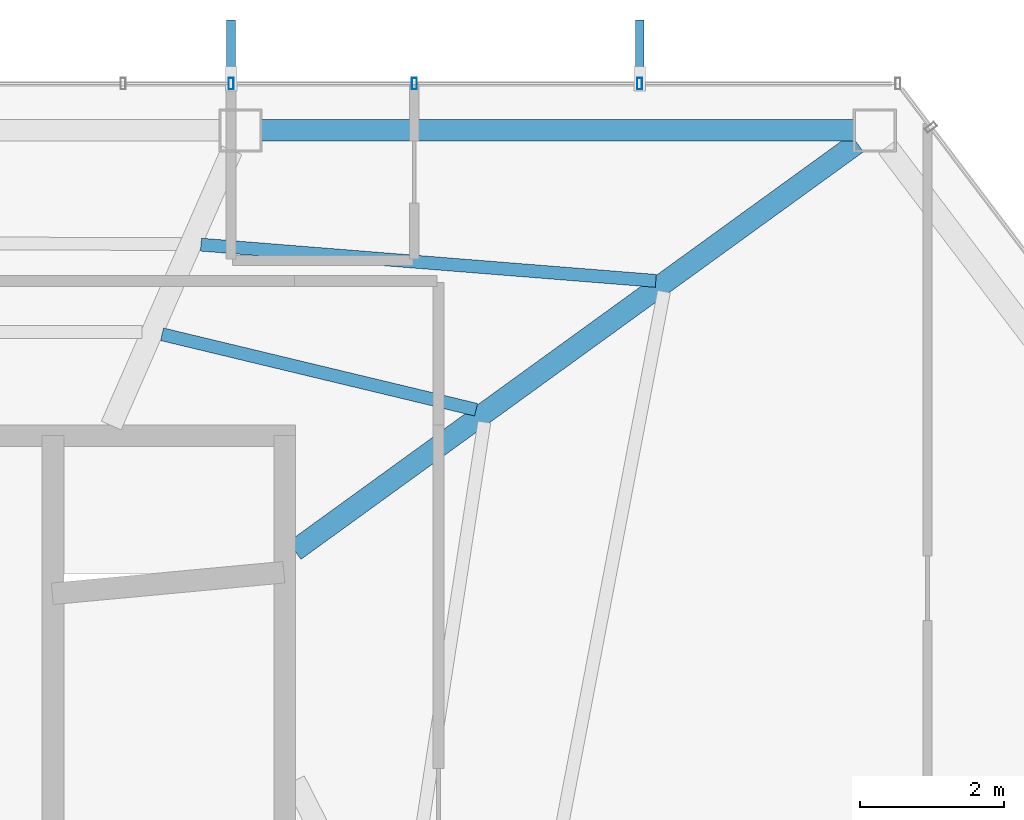
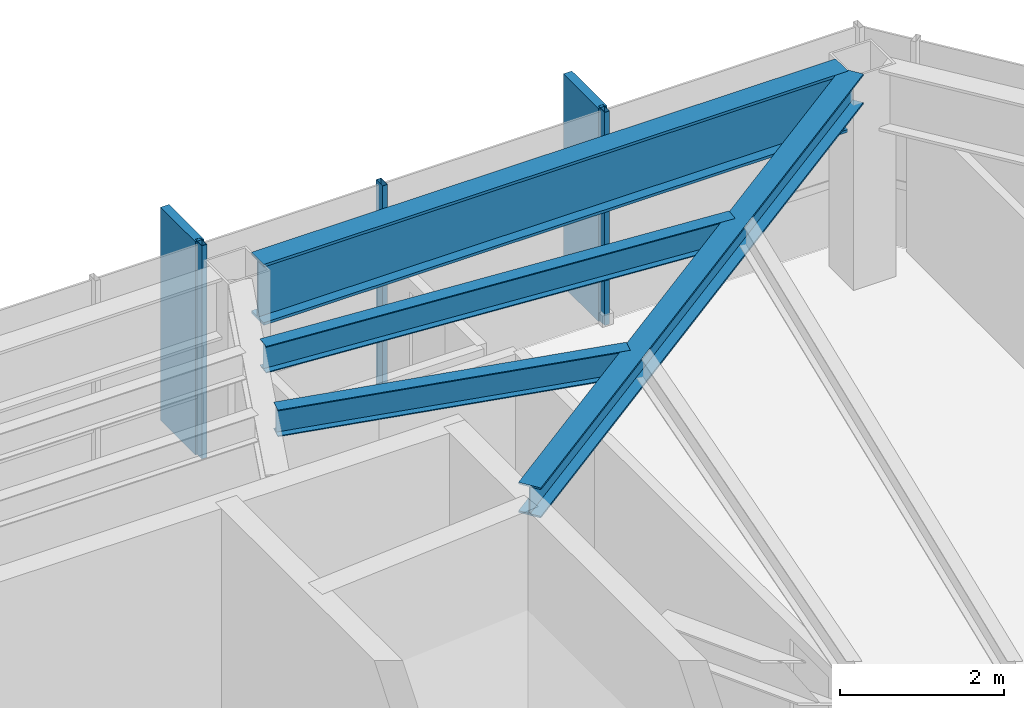
# One storey, part 22 of 28: 5 members, 4 beams, 1 element without a shape of its own.
"""IFC4 building model written with IfcOpenShell, lengths in metres."""

from ifc_helpers import new_model, si_unit, direction, frame, origin, origin_2d, place, context, subcontext, project, spatial, rectangle, hollow_rectangle, i_section, extrude, material, layer, layer_set, material_profile, profile_set, type_object, element, aggregate, save


model = new_model("IFC4")

# Units and contexts
model_context = context("Model", 3, precision=1e-05, world=origin(), true_north=direction((0.0, 1.0)))
body_context = subcontext(model_context, "Body", "Model", "MODEL_VIEW")
ifc_project = project(units=[si_unit("LENGTHUNIT", "METRE"), si_unit("AREAUNIT", "SQUARE_METRE"), si_unit("VOLUMEUNIT", "CUBIC_METRE"), si_unit("PLANEANGLEUNIT", "RADIAN"), si_unit("MASSUNIT", "GRAM", prefix="KILO")], contexts=[model_context])

# Site, building, storey
site_placement = place(None, origin())
site = spatial("IfcSite", under=ifc_project, at=site_placement, CompositionType="ELEMENT")
building_placement = place(site_placement, origin())
building = spatial("IfcBuilding", under=site, at=building_placement, Name="Zarrinselat Tower", CompositionType="ELEMENT")
storey_placement = place(building_placement, frame((0.0, 0.0, 222.360107421875)))
storey = spatial("IfcBuildingStorey", under=building, at=storey_placement, Name="L55", CompositionType="ELEMENT", Elevation=222.360107421875)

# Beams
ifc_material_1 = material(Name="Steel S355J2", Category="steel")
ifc_material_profile_1 = material_profile(ifc_material_1, i_section(OverallWidth=0.300048828125, OverallDepth=0.449951171875, WebThickness=0.013916015625, FlangeThickness=0.02587890625, at=origin_2d()), Name="HEB 450")
ifc_profile_set_1 = profile_set([ifc_material_profile_1], Name="Steel S355J2")
beam_type_1 = type_object("IfcBeamType", Name="BM-HEB450", PredefinedType="BEAM", material=ifc_profile_set_1)
beam_1_placement = place(storey_placement, frame((48.35009765625, 41.800048828125, 2.954833984375), z_axis=(0.809785173782, 0.586726488513, 0.0), x_axis=(-0.586726488513, 0.809785173782, 0.0)))
element("IfcBeam", 1, at=beam_1_placement, inside=storey, type_object=beam_type_1, Name="L55 Radial Primary Girder RG01", PredefinedType="BEAM", context=body_context, shape_type="SweptSolid", body=[
    extrude(i_section(OverallWidth=0.300048828125, OverallDepth=0.449951171875, WebThickness=0.013916015625, FlangeThickness=0.02587890625, at=origin_2d()), origin(), (0.0, 0.0, 1.0), 9.6591796875),
])
ifc_material_2 = material(Name="Steel S460M", Category="steel")
ifc_material_profile_2 = material_profile(ifc_material_2, i_section(OverallWidth=0.302001953125, OverallDepth=0.909912109375, WebThickness=0.02099609375, FlangeThickness=0.0400390625, at=origin_2d()), Name="HEM 900")
ifc_profile_set_2 = profile_set([ifc_material_profile_2], Name="Steel S460M")
beam_type_2 = type_object("IfcBeamType", Name="BM-HEM900", PredefinedType="BEAM", material=ifc_profile_set_2)
beam_2_placement = place(storey_placement, frame((47.887451171875, 47.644287109375, 2.724853515625), z_axis=(1.0, 0.0, 0.0), x_axis=(0.0, 1.0, 0.0)))
element("IfcBeam", 2, at=beam_2_placement, inside=storey, type_object=beam_type_2, Name="L55 Perimeter Spandrel Girder SP01", PredefinedType="BEAM", context=body_context, shape_type="SweptSolid", body=[
    extrude(i_section(OverallWidth=0.302001953125, OverallDepth=0.909912109375, WebThickness=0.02099609375, FlangeThickness=0.0400390625, at=origin_2d()), origin(), (0.0, 0.0, 1.0), 8.240966796875),
])
ifc_material_3 = material(Name="Steel S355J2", Category="steel")
ifc_material_profile_3 = material_profile(ifc_material_3, i_section(OverallWidth=0.179931640625, OverallDepth=0.39990234375, WebThickness=0.008544921875, FlangeThickness=0.013427734375, at=origin_2d()), Name="IPE 400")
ifc_profile_set_3 = profile_set([ifc_material_profile_3], Name="Steel S355J2")
beam_type_3 = type_object("IfcBeamType", Name="BM-IPE400", PredefinedType="JOIST", material=ifc_profile_set_3)
beam_3_placement = place(storey_placement, frame((47.047119140625, 46.05517578125, 2.97998046875), z_axis=(0.996845179444, -0.079370575268, 0.0), x_axis=(0.079370575268, 0.996845179444, 0.0)))
element("IfcBeam", 3, at=beam_3_placement, inside=storey, type_object=beam_type_3, Name="L55 Composite Floor Joist 6-1", PredefinedType="JOIST", context=body_context, shape_type="SweptSolid", body=[
    extrude(i_section(OverallWidth=0.179931640625, OverallDepth=0.39990234375, WebThickness=0.008544921875, FlangeThickness=0.013427734375, at=origin_2d()), origin(), (0.0, 0.0, 1.0), 6.345703125),
])
beam_4_placement = place(storey_placement, frame((46.506591796875, 44.80859375, 2.97998046875), z_axis=(0.972333489032, -0.233597059285, 0.0), x_axis=(0.233597059285, 0.972333489032, 0.0)))
element("IfcBeam", 4, at=beam_4_placement, inside=storey, type_object=beam_type_3, Name="L55 Composite Floor Joist 6-2", PredefinedType="JOIST", context=body_context, shape_type="SweptSolid", body=[
    extrude(i_section(OverallWidth=0.179931640625, OverallDepth=0.39990234375, WebThickness=0.008544921875, FlangeThickness=0.013427734375, at=origin_2d()), origin(), (0.0, 0.0, 1.0), 4.490966796875),
])

# Curtain wall, members
ifc_material_4 = material(Name="Extruded Aluminium Alloy EN AW-6063 T6", Category="aluminium")
ifc_layer = layer(ifc_material_4, 0.169921875)
ifc_layer_set = layer_set([ifc_layer], Name="Extruded Aluminium Alloy EN AW-6063 T6")
curtain_wall_type = type_object("IfcCurtainWallType", Name="CWS-RES", PredefinedType="NOTDEFINED", material=ifc_layer_set)
curtain_wall_placement = place(storey_placement, origin())
curtain_wall = element("IfcCurtainWall", 5, at=curtain_wall_placement, inside=storey, type_object=curtain_wall_type, Name="L55 Unitised Curtain Wall CW-L55-E01", PredefinedType="NOTDEFINED")
ifc_material_5 = material(Name="Extruded Aluminium Alloy EN AW-6063 T6", Category="aluminium")
ifc_material_profile_4 = material_profile(ifc_material_5, hollow_rectangle(XDim=0.070068359375, YDim=0.159912109375, WallThickness=0.00390625, at=origin_2d()), Name="RHS 160x70x4")
ifc_profile_set_4 = profile_set([ifc_material_profile_4], Name="Extruded Aluminium Alloy EN AW-6063 T6")
member_type_1 = type_object("IfcMemberType", Name="MEM-CW-MUL2", PredefinedType="MULLION", material=ifc_profile_set_4)
member_1_placement = place(storey_placement, frame((53.14794921875, 48.29443359375, 0.0), z_axis=(0.0, 0.0, 1.0), x_axis=(-1.0, 0.0, 0.0)))
member_1 = element("IfcMember", 6, at=member_1_placement, type_object=member_type_1, Name="CW-L55-E01 Mullion 1", PredefinedType="MULLION", context=body_context, shape_type="SweptSolid", body=[
    extrude(hollow_rectangle(XDim=0.070068359375, YDim=0.159912109375, WallThickness=0.00390625, at=origin_2d()), origin(), (0.0, 0.0, 1.0), 3.179931640625),
])
member_2_placement = place(storey_placement, frame((50.015380859375, 48.29443359375, 0.0), z_axis=(0.0, 0.0, 1.0), x_axis=(-1.0, 0.0, 0.0)))
member_2 = element("IfcMember", 7, at=member_2_placement, type_object=member_type_1, Name="CW-L55-E01 Mullion 2", PredefinedType="MULLION", context=body_context, shape_type="SweptSolid", body=[
    extrude(hollow_rectangle(XDim=0.070068359375, YDim=0.159912109375, WallThickness=0.00390625, at=origin_2d()), origin(), (0.0, 0.0, 1.0), 3.179931640625),
])
member_3_placement = place(storey_placement, frame((47.46533203125, 48.29443359375, 0.0), z_axis=(0.0, 0.0, 1.0), x_axis=(-1.0, 0.0, 0.0)))
member_3 = element("IfcMember", 8, at=member_3_placement, type_object=member_type_1, Name="CW-L55-E01 Mullion 3", PredefinedType="MULLION", context=body_context, shape_type="SweptSolid", body=[
    extrude(hollow_rectangle(XDim=0.070068359375, YDim=0.159912109375, WallThickness=0.00390625, at=origin_2d()), origin(), (0.0, 0.0, 1.0), 3.179931640625),
])
ifc_material_6 = material(Name="Honed Cream Travertine Stone", Category="masonry")
ifc_material_profile_5 = material_profile(ifc_material_6, rectangle(XDim=0.1201171875, YDim=0.85009765625, at=origin_2d()), Name="FIN 850x120")
ifc_profile_set_5 = profile_set([ifc_material_profile_5], Name="Honed Cream Travertine Stone")
member_type_2 = type_object("IfcMemberType", Name="MEM-STONE-FIN", PredefinedType="USERDEFINED", material=ifc_profile_set_5)
member_4_placement = place(storey_placement, frame((53.14794921875, 48.75439453125, 0.0), z_axis=(0.0, 0.0, 1.0), x_axis=(1.0, 0.0, 0.0)))
member_4 = element("IfcMember", 9, at=member_4_placement, type_object=member_type_2, Name="L55 Stone Shading Fin CW-L55-E01-01", ObjectType="FIN", PredefinedType="USERDEFINED", context=body_context, shape_type="SweptSolid", body=[
    extrude(rectangle(XDim=0.1201171875, YDim=0.85009765625, at=origin_2d()), origin(), (0.0, 0.0, 1.0), 3.179931640625),
])
member_5_placement = place(storey_placement, frame((47.46533203125, 48.75439453125, 0.0), z_axis=(0.0, 0.0, 1.0), x_axis=(1.0, 0.0, 0.0)))
member_5 = element("IfcMember", 10, at=member_5_placement, type_object=member_type_2, Name="L55 Stone Shading Fin CW-L55-E01-03", ObjectType="FIN", PredefinedType="USERDEFINED", context=body_context, shape_type="SweptSolid", body=[
    extrude(rectangle(XDim=0.1201171875, YDim=0.85009765625, at=origin_2d()), origin(), (0.0, 0.0, 1.0), 3.179931640625),
])
aggregate(curtain_wall, [member_1, member_4, member_2, member_3, member_5])

save(model, "model.ifc")
